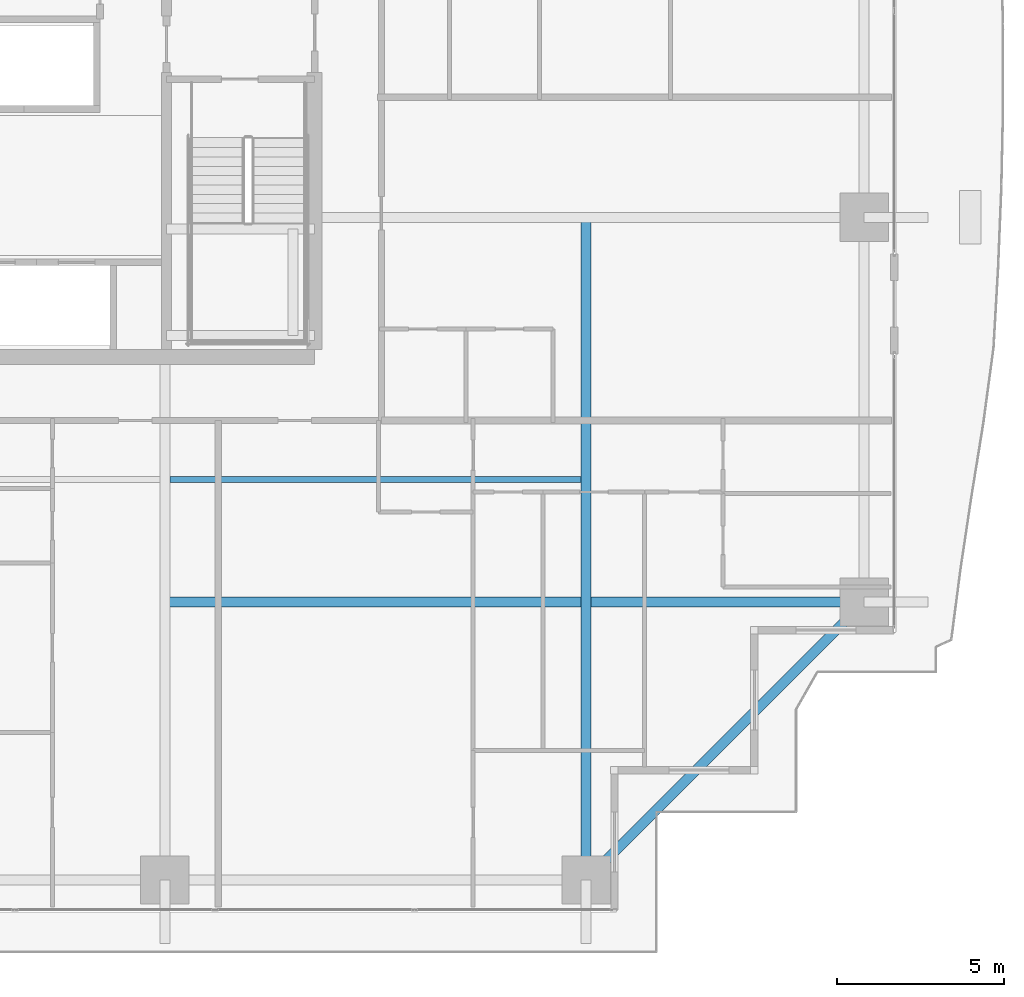
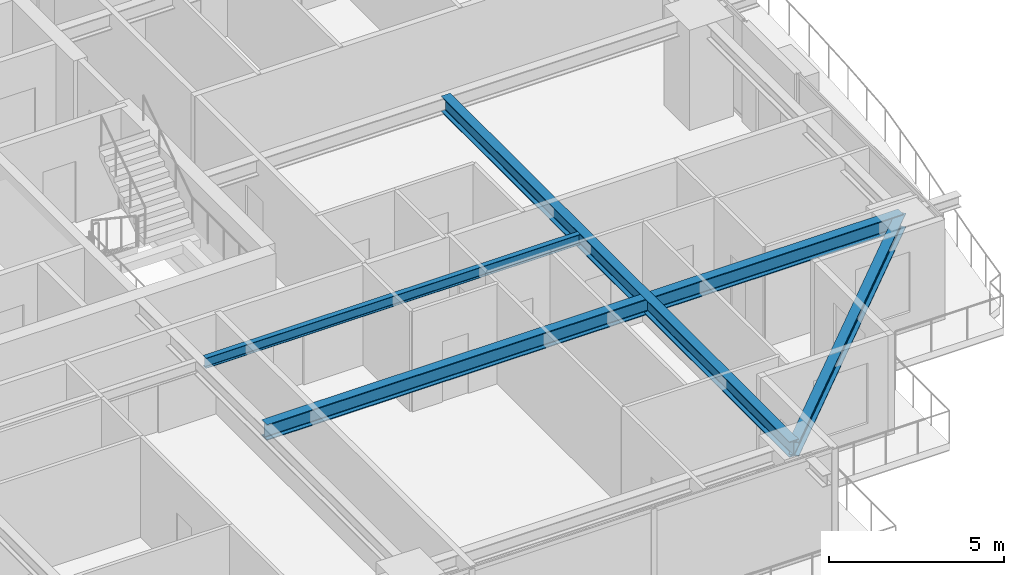
# One storey, part 11 of 38: 4 beams.
"""IFC4 building model written with IfcOpenShell, lengths in metres."""

from ifc_helpers import new_model, si_unit, direction, frame, origin, origin_2d, place, context, subcontext, project, spatial, i_section, extrude, source, transform, mapped, material, material_profile, profile_set, type_object, element, save


model = new_model("IFC4")

# Units and contexts
model_context = context("Model", 3, precision=1e-05, world=origin(), true_north=direction((0.0, 1.0)))
body_context = subcontext(model_context, "Body", "Model", "MODEL_VIEW")
ifc_project = project(units=[si_unit("LENGTHUNIT", "METRE"), si_unit("AREAUNIT", "SQUARE_METRE"), si_unit("VOLUMEUNIT", "CUBIC_METRE"), si_unit("PLANEANGLEUNIT", "RADIAN"), si_unit("MASSUNIT", "GRAM", prefix="KILO")], contexts=[model_context])

# Site, building, storey
site_placement = place(None, origin())
site = spatial("IfcSite", under=ifc_project, at=site_placement, CompositionType="ELEMENT")
building_placement = place(site_placement, origin())
building = spatial("IfcBuilding", under=site, at=building_placement, Name="Serunith Strait Residences", CompositionType="ELEMENT")
storey_placement = place(building_placement, frame((0.0, 0.0, 37.949951171875)))
storey = spatial("IfcBuildingStorey", under=building, at=storey_placement, Name="L08", CompositionType="ELEMENT", Elevation=37.949951171875)

# Beams
ifc_material = material(Name="Steel S355J2", Category="steel")
ifc_material_profile_1 = material_profile(ifc_material, i_section(OverallWidth=0.300048828125, OverallDepth=0.550048828125, WebThickness=0.014892578125, FlangeThickness=0.029052734375, FilletRadius=0.027099609375, at=origin_2d()), Name="HEB 550")
ifc_profile_set_1 = profile_set([ifc_material_profile_1], Name="Steel S355J2")
beam_type_1 = type_object("IfcBeamType", Name="BM-HEB550", PredefinedType="BEAM", material=ifc_profile_set_1)
shared_shape_1 = source(origin(), body_context, "Body", "SweptSolid", [
    extrude(i_section(OverallWidth=0.300048828125, OverallDepth=0.550048828125, WebThickness=0.014892578125, FlangeThickness=0.029052734375, FilletRadius=0.027099609375, at=origin_2d()), origin(), (0.0, 0.0, 1.0), 19.89990234375),
])
beam_1_placement = place(storey_placement, frame((49.550048828125, 21.0, 3.212158203125), z_axis=(0.0, -1.0, 0.0), x_axis=(1.0, 0.0, 0.0)))
element("IfcBeam", 1, at=beam_1_placement, inside=storey, type_object=beam_type_1, Name="L08 Orthogonal Corner Girder TC-S4", PredefinedType="BEAM", context=body_context, shape_type="MappedRepresentation", body=[
    mapped(shared_shape_1, transform((0.0, 0.0, 0.0), scale=1.0)),
])
shared_shape_2 = source(origin(), body_context, "Body", "SweptSolid", [
    extrude(i_section(OverallWidth=0.300048828125, OverallDepth=0.550048828125, WebThickness=0.014892578125, FlangeThickness=0.029052734375, FilletRadius=0.027099609375, at=origin_2d()), origin(), (0.0, 0.0, 1.0), 21.0),
])
beam_2_placement = place(storey_placement, frame((36.89990234375, 9.449951171875, 3.212158203125), z_axis=(1.0, 0.0, 0.0), x_axis=(0.0, 1.0, 0.0)))
element("IfcBeam", 2, at=beam_2_placement, inside=storey, type_object=beam_type_1, Name="L08 Orthogonal Corner Girder TC-E1", PredefinedType="BEAM", context=body_context, shape_type="MappedRepresentation", body=[
    mapped(shared_shape_2, transform((0.0, 0.0, 0.0), scale=1.0)),
])
ifc_material_profile_2 = material_profile(ifc_material, i_section(OverallWidth=0.300048828125, OverallDepth=0.5, WebThickness=0.014404296875, FlangeThickness=0.028076171875, FilletRadius=0.027099609375, at=origin_2d()), Name="HEB 500")
ifc_profile_set_2 = profile_set([ifc_material_profile_2], Name="Steel S355J2")
beam_type_2 = type_object("IfcBeamType", Name="BM-HEB500", PredefinedType="BEAM", material=ifc_profile_set_2)
shared_shape_3 = source(origin(), body_context, "Body", "SweptSolid", [
    extrude(i_section(OverallWidth=0.300048828125, OverallDepth=0.5, WebThickness=0.014404296875, FlangeThickness=0.028076171875, FilletRadius=0.027099609375, at=origin_2d()), origin(), (0.0, 0.0, 1.0), 11.80859375),
])
beam_3_placement = place(storey_placement, frame((49.550048828125, 1.10009765625, 3.20703125), z_axis=(0.707106781187, 0.707106781187, 0.0), x_axis=(-0.707106781187, 0.707106781187, 0.0)))
element("IfcBeam", 3, at=beam_3_placement, inside=storey, type_object=beam_type_2, Name="L08 Perimeter Ring Beam 04", PredefinedType="BEAM", context=body_context, shape_type="MappedRepresentation", body=[
    mapped(shared_shape_3, transform((0.0, 0.0, 0.0), scale=1.0)),
])
ifc_material_profile_3 = material_profile(ifc_material, i_section(OverallWidth=0.169921875, OverallDepth=0.360107421875, WebThickness=0.008056640625, FlangeThickness=0.0126953125, FilletRadius=0.01806640625, at=origin_2d()), Name="IPE 360")
ifc_profile_set_3 = profile_set([ifc_material_profile_3], Name="Steel S355J2")
beam_type_3 = type_object("IfcBeamType", Name="BM-IPE360", PredefinedType="JOIST", material=ifc_profile_set_3)
shared_shape_4 = source(origin(), body_context, "Body", "SweptSolid", [
    extrude(i_section(OverallWidth=0.169921875, OverallDepth=0.360107421875, WebThickness=0.008056640625, FlangeThickness=0.0126953125, FilletRadius=0.01806640625, at=origin_2d()), origin(), (0.0, 0.0, 1.0), 12.349853515625),
])
beam_4_placement = place(storey_placement, frame((37.050048828125, 13.125, 3.30712890625), z_axis=(1.0, 0.0, 0.0), x_axis=(0.0, 1.0, 0.0)))
element("IfcBeam", 4, at=beam_4_placement, inside=storey, type_object=beam_type_3, Name="L08 Composite Floor Joist 03", PredefinedType="JOIST", context=body_context, shape_type="MappedRepresentation", body=[
    mapped(shared_shape_4, transform((0.0, 0.0, 0.0), scale=1.0)),
])

save(model, "model.ifc")
